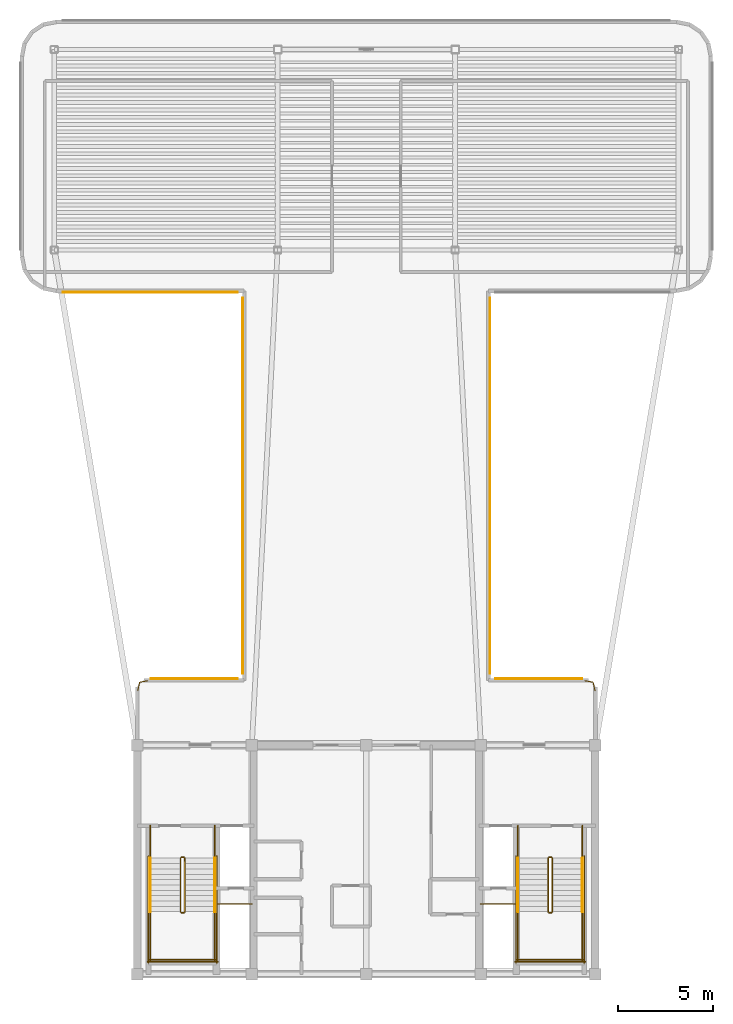
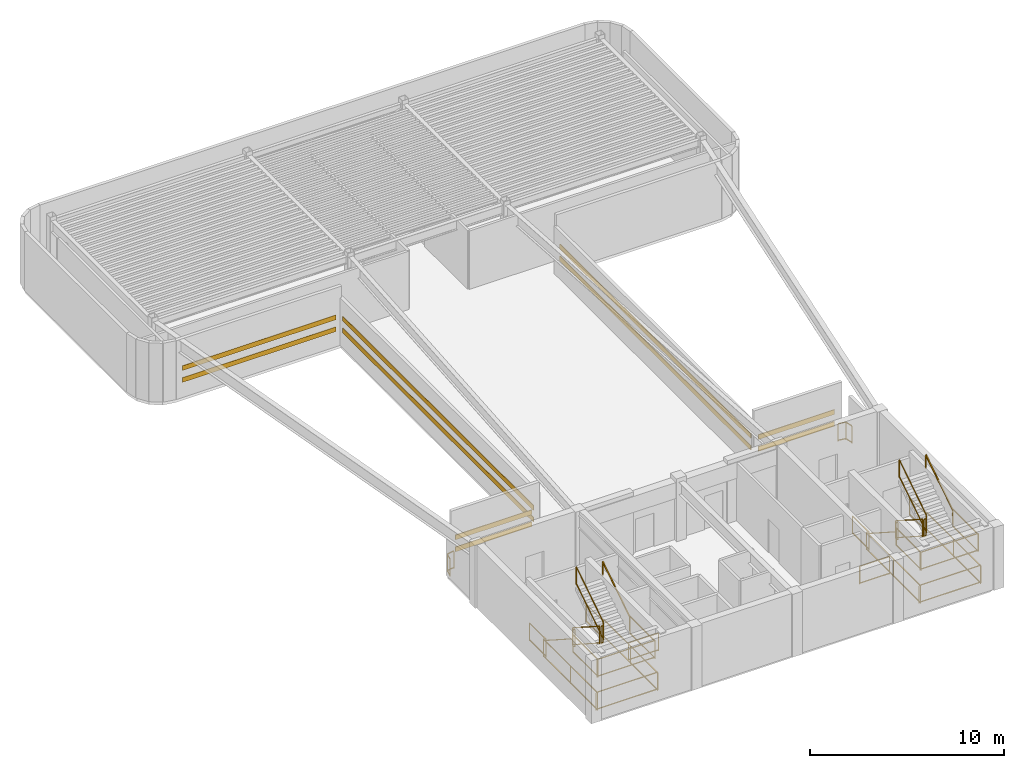
# One storey, part 5 of 6: 32 railings, 10 shading devices.
"""IFC4 building model written with IfcOpenShell, lengths in metres."""

from ifc_helpers import new_model, si_unit, direction, frame, origin, origin_2d, place, context, subcontext, project, spatial, rectangle, extrude, source, transform, mapped, material, layer, layer_set, material_profile, profile_set, type_object, element, save


model = new_model("IFC4")

# Units and contexts
model_context = context("Model", 3, precision=1e-05, world=origin(), true_north=direction((0.0, 1.0)))
body_context = subcontext(model_context, "Body", "Model", "MODEL_VIEW")
ifc_project = project(units=[si_unit("LENGTHUNIT", "METRE"), si_unit("AREAUNIT", "SQUARE_METRE"), si_unit("VOLUMEUNIT", "CUBIC_METRE"), si_unit("PLANEANGLEUNIT", "RADIAN"), si_unit("MASSUNIT", "GRAM", prefix="KILO")], contexts=[model_context])

# Site, building, storey
site_placement = place(None, origin())
site = spatial("IfcSite", under=ifc_project, at=site_placement, CompositionType="ELEMENT")
building_placement = place(site_placement, origin())
building = spatial("IfcBuilding", under=site, at=building_placement, Name="Brelvock Crest Care Tower", CompositionType="ELEMENT")
storey_placement = place(building_placement, frame((0.0, 0.0, 303.840087890625)))
storey = spatial("IfcBuildingStorey", under=building, at=storey_placement, Name="L77", CompositionType="ELEMENT", Elevation=303.840087890625)

# Railings
ifc_material_1 = material(Name="Steel Grade 350", Category="steel")
ifc_layer_1 = layer(ifc_material_1, 0.06005859375, Name="RL-GRD1")
ifc_layer_set_1 = layer_set([ifc_layer_1], Name="Steel Grade 350")
railing_type_1 = type_object("IfcRailingType", Name="RL-GRD1", PredefinedType="GUARDRAIL", material=ifc_layer_set_1)
railing_1_placement = place(storey_placement, frame((24.02001953125, 20.85009765625, 0.00390625)))
element("IfcRailing", 1, at=railing_1_placement, inside=storey, type_object=railing_type_1, Name="L77 West Throat Corner Guard", PredefinedType="GUARDRAIL", context=body_context, shape_type="SweptSolid", body=[
    extrude(rectangle(XDim=0.048095703125, YDim=0.048095703125, at=origin_2d()), frame((0.00048828125, 0.001953125, 1.09619140625), z_axis=(0.21715477266, 0.976137185395, 0.0), x_axis=(-0.976137185395, 0.21715477266, 0.0)), (0.0, 0.0, 1.0), 0.45703125),
    extrude(rectangle(XDim=0.048095703125, YDim=0.048095703125, at=origin_2d()), frame((0.00048828125, 0.001953125, 0.054931640625), z_axis=(0.21715477266, 0.976137185395, 0.0), x_axis=(-0.976137185395, 0.21715477266, 0.0)), (0.0, 0.0, 1.0), 0.45703125),
    extrude(rectangle(XDim=0.048095703125, YDim=0.048095703125, at=origin_2d()), frame((0.10205078125, 0.4501953125, 1.09619140625), z_axis=(0.983193031384, 0.182569063749, 0.0), x_axis=(-0.182569063749, 0.983193031384, 0.0)), (0.0, 0.0, 1.0), 0.433349609375),
    extrude(rectangle(XDim=0.048095703125, YDim=0.048095703125, at=origin_2d()), frame((0.10205078125, 0.4501953125, 0.054931640625), z_axis=(0.983193031384, 0.182569063749, 0.0), x_axis=(-0.182569063749, 0.983193031384, 0.0)), (0.0, 0.0, 1.0), 0.433349609375),
    extrude(rectangle(XDim=0.0419921875, YDim=0.0419921875, at=origin_2d()), origin(), (0.0, 0.0, 1.0), 1.070068359375),
    extrude(rectangle(XDim=0.0419921875, YDim=0.0419921875, at=origin_2d()), frame((0.10009765625, 0.449951171875, 0.0)), (0.0, 0.0, 1.0), 1.070068359375),
    extrude(rectangle(XDim=0.0419921875, YDim=0.0419921875, at=origin_2d()), frame((0.530029296875, 0.52978515625, 0.0)), (0.0, 0.0, 1.0), 1.070068359375),
])
railing_2_placement = place(storey_placement, frame((47.449951171875, 21.3798828125, 0.00390625)))
element("IfcRailing", 2, at=railing_2_placement, inside=storey, type_object=railing_type_1, Name="L77 East Throat Corner Guard", PredefinedType="GUARDRAIL", context=body_context, shape_type="SweptSolid", body=[
    extrude(rectangle(XDim=0.048095703125, YDim=0.048095703125, at=origin_2d()), frame((0.001953125, -0.000244140625, 1.09619140625), z_axis=(0.983193031384, -0.182569063749, 0.0), x_axis=(0.182569063749, 0.983193031384, 0.0)), (0.0, 0.0, 1.0), 0.433349609375),
    extrude(rectangle(XDim=0.048095703125, YDim=0.048095703125, at=origin_2d()), frame((0.001953125, -0.000244140625, 0.054931640625), z_axis=(0.983193031384, -0.182569063749, 0.0), x_axis=(0.182569063749, 0.983193031384, 0.0)), (0.0, 0.0, 1.0), 0.433349609375),
    extrude(rectangle(XDim=0.048095703125, YDim=0.048095703125, at=origin_2d()), frame((0.430419921875, -0.081787109375, 1.09619140625), z_axis=(0.21715477266, -0.976137185395, 0.0), x_axis=(0.976137185395, 0.21715477266, 0.0)), (0.0, 0.0, 1.0), 0.45703125),
    extrude(rectangle(XDim=0.048095703125, YDim=0.048095703125, at=origin_2d()), frame((0.430419921875, -0.081787109375, 0.054931640625), z_axis=(0.21715477266, -0.976137185395, 0.0), x_axis=(0.976137185395, 0.21715477266, 0.0)), (0.0, 0.0, 1.0), 0.45703125),
    extrude(rectangle(XDim=0.0419921875, YDim=0.0419921875, at=origin_2d()), origin(), (0.0, 0.0, 1.0), 1.070068359375),
    extrude(rectangle(XDim=0.0419921875, YDim=0.0419921875, at=origin_2d()), frame((0.429931640625, -0.079833984375, 0.0)), (0.0, 0.0, 1.0), 1.070068359375),
    extrude(rectangle(XDim=0.0419921875, YDim=0.0419921875, at=origin_2d()), frame((0.530029296875, -0.52978515625, 0.0)), (0.0, 0.0, 1.0), 1.070068359375),
])
ifc_layer_2 = layer(ifc_material_1, 0.050048828125, Name="RL-STG1")
ifc_layer_set_2 = layer_set([ifc_layer_2], Name="Steel Grade 350")
railing_type_2 = type_object("IfcRailingType", Name="RL-STG1", PredefinedType="GUARDRAIL", material=ifc_layer_set_2)
railing_3_placement = place(storey_placement, frame((26.260009765625, 12.080078125, 0.179931640625)))
element("IfcRailing", 3, at=railing_3_placement, inside=storey, type_object=railing_type_2, Name="L77 ST-1 stair guard 1", PredefinedType="GUARDRAIL", context=body_context, shape_type="SweptSolid", body=[
    extrude(rectangle(XDim=0.048095703125, YDim=0.048095703125, at=origin_2d()), frame((0.0, -0.001708984375, 1.116943359375), z_axis=(0.0, -0.841176092368, 0.540761298198), x_axis=(1.0, 0.0, 0.0)), (0.0, 0.0, 1.0), 3.32470703125),
    extrude(rectangle(XDim=0.048095703125, YDim=0.048095703125, at=origin_2d()), frame((0.0, -0.001708984375, 0.05615234375), z_axis=(0.0, -0.841176092368, 0.540761298198), x_axis=(1.0, 0.0, 0.0)), (0.0, 0.0, 1.0), 3.32470703125),
    extrude(rectangle(XDim=0.0419921875, YDim=0.0419921875, at=origin_2d()), origin(), (0.0, 0.0, 1.0), 1.08984375),
    extrude(rectangle(XDim=0.0419921875, YDim=0.0419921875, at=origin_2d()), frame((0.0, -2.800048828125, 1.800048828125)), (0.0, 0.0, 1.0), 1.08984375),
])
railing_4_placement = place(storey_placement, frame((26.31005859375, 9.22998046875, 1.97998046875)))
element("IfcRailing", 4, at=railing_4_placement, inside=storey, type_object=railing_type_2, Name="L77 ST-1 stair guard 2", PredefinedType="GUARDRAIL", context=body_context, shape_type="SweptSolid", body=[
    extrude(rectangle(XDim=0.048095703125, YDim=0.048095703125, at=origin_2d()), frame((0.001953125, 0.0, 1.11572265625), z_axis=(1.0, 0.0, 0.0), x_axis=(0.0, 1.0, 0.0)), (0.0, 0.0, 1.0), 0.115966796875),
    extrude(rectangle(XDim=0.048095703125, YDim=0.048095703125, at=origin_2d()), frame((0.001953125, 0.0, 0.054931640625), z_axis=(1.0, 0.0, 0.0), x_axis=(0.0, 1.0, 0.0)), (0.0, 0.0, 1.0), 0.115966796875),
    extrude(rectangle(XDim=0.0419921875, YDim=0.0419921875, at=origin_2d()), origin(), (0.0, 0.0, 1.0), 1.08984375),
    extrude(rectangle(XDim=0.0419921875, YDim=0.0419921875, at=origin_2d()), frame((0.119873046875, 0.0, 0.0)), (0.0, 0.0, 1.0), 1.08984375),
])
for number, where, name in (
    (5, (24.679931640625, 9.280029296875, 1.97998046875), "L77 ST-1 stair guard 3"),
    (6, (28.06005859375, 9.280029296875, 1.97998046875), "L77 ST-1 stair guard 4"),
):
    element("IfcRailing", number, at=place(storey_placement, frame(where)), inside=storey, type_object=railing_type_2, Name=name, PredefinedType="GUARDRAIL", context=body_context, shape_type="SweptSolid", body=[
        extrude(rectangle(XDim=0.048095703125, YDim=0.048095703125, at=origin_2d()), frame((0.0, -0.001953125, 1.11572265625), z_axis=(0.0, -1.0, 0.0), x_axis=(1.0, 0.0, 0.0)), (0.0, 0.0, 1.0), 2.576171875),
        extrude(rectangle(XDim=0.048095703125, YDim=0.048095703125, at=origin_2d()), frame((0.0, -0.001953125, 0.054931640625), z_axis=(0.0, -1.0, 0.0), x_axis=(1.0, 0.0, 0.0)), (0.0, 0.0, 1.0), 2.576171875),
        extrude(rectangle(XDim=0.0419921875, YDim=0.0419921875, at=origin_2d()), origin(), (0.0, 0.0, 1.0), 1.08984375),
        extrude(rectangle(XDim=0.0419921875, YDim=0.0419921875, at=origin_2d()), frame((0.0, -2.580078125, 0.0)), (0.0, 0.0, 1.0), 1.08984375),
    ])
railing_5_placement = place(storey_placement, frame((24.6298828125, 6.75, 1.97998046875)))
element("IfcRailing", 7, at=railing_5_placement, inside=storey, type_object=railing_type_2, Name="L77 ST-1 stair guard 5", PredefinedType="GUARDRAIL", context=body_context, shape_type="SweptSolid", body=[
    extrude(rectangle(XDim=0.048095703125, YDim=0.048095703125, at=origin_2d()), frame((0.001953125, 0.0, 1.11572265625), z_axis=(1.0, 0.0, 0.0), x_axis=(0.0, 1.0, 0.0)), (0.0, 0.0, 1.0), 3.476318359375),
    extrude(rectangle(XDim=0.048095703125, YDim=0.048095703125, at=origin_2d()), frame((0.001953125, 0.0, 0.054931640625), z_axis=(1.0, 0.0, 0.0), x_axis=(0.0, 1.0, 0.0)), (0.0, 0.0, 1.0), 3.476318359375),
    extrude(rectangle(XDim=0.0419921875, YDim=0.0419921875, at=origin_2d()), origin(), (0.0, 0.0, 1.0), 1.08984375),
    extrude(rectangle(XDim=0.0419921875, YDim=0.0419921875, at=origin_2d()), frame((3.480224609375, 0.0, 0.0)), (0.0, 0.0, 1.0), 1.08984375),
])
railing_6_placement = place(storey_placement, frame((26.47998046875, 9.280029296875, 2.159912109375)))
element("IfcRailing", 8, at=railing_6_placement, inside=storey, type_object=railing_type_2, Name="L77 ST-1 stair guard 6", PredefinedType="GUARDRAIL", context=body_context, shape_type="SweptSolid", body=[
    extrude(rectangle(XDim=0.048095703125, YDim=0.048095703125, at=origin_2d()), frame((0.0, 0.001708984375, 1.116943359375), z_axis=(0.0, 0.841176092368, 0.540761298198), x_axis=(-1.0, 0.0, 0.0)), (0.0, 0.0, 1.0), 3.32470703125),
    extrude(rectangle(XDim=0.048095703125, YDim=0.048095703125, at=origin_2d()), frame((0.0, 0.001708984375, 0.05615234375), z_axis=(0.0, 0.841176092368, 0.540761298198), x_axis=(-1.0, 0.0, 0.0)), (0.0, 0.0, 1.0), 3.32470703125),
    extrude(rectangle(XDim=0.0419921875, YDim=0.0419921875, at=origin_2d()), origin(), (0.0, 0.0, 1.0), 1.08984375),
    extrude(rectangle(XDim=0.0419921875, YDim=0.0419921875, at=origin_2d()), frame((0.0, 2.800048828125, 1.800048828125)), (0.0, 0.0, 1.0), 1.08984375),
])
railing_7_placement = place(storey_placement, frame((26.31005859375, 12.1298828125, 0.0)))
element("IfcRailing", 9, at=railing_7_placement, inside=storey, type_object=railing_type_2, Name="L77 ST-1 stair guard 7", PredefinedType="GUARDRAIL", context=body_context, shape_type="SweptSolid", body=[
    extrude(rectangle(XDim=0.048095703125, YDim=0.048095703125, at=origin_2d()), frame((0.001953125, 0.0, 1.11572265625), z_axis=(1.0, 0.0, 0.0), x_axis=(0.0, 1.0, 0.0)), (0.0, 0.0, 1.0), 0.115966796875),
    extrude(rectangle(XDim=0.048095703125, YDim=0.048095703125, at=origin_2d()), frame((0.001953125, 0.0, 0.054931640625), z_axis=(1.0, 0.0, 0.0), x_axis=(0.0, 1.0, 0.0)), (0.0, 0.0, 1.0), 0.115966796875),
    extrude(rectangle(XDim=0.0419921875, YDim=0.0419921875, at=origin_2d()), origin(), (0.0, 0.0, 1.0), 1.08984375),
    extrude(rectangle(XDim=0.0419921875, YDim=0.0419921875, at=origin_2d()), frame((0.119873046875, 0.0, 0.0)), (0.0, 0.0, 1.0), 1.08984375),
])
for number, where, name in (
    (10, (24.679931640625, 13.780029296875, 0.0), "L77 ST-1 stair guard 8"),
    (11, (28.06005859375, 13.780029296875, 0.0), "L77 ST-1 stair guard 9"),
):
    element("IfcRailing", number, at=place(storey_placement, frame(where)), inside=storey, type_object=railing_type_2, Name=name, PredefinedType="GUARDRAIL", context=body_context, shape_type="SweptSolid", body=[
        extrude(rectangle(XDim=0.048095703125, YDim=0.048095703125, at=origin_2d()), frame((0.0, -0.001953125, 1.11572265625), z_axis=(0.0, -1.0, 0.0), x_axis=(1.0, 0.0, 0.0)), (0.0, 0.0, 1.0), 1.696044921875),
        extrude(rectangle(XDim=0.048095703125, YDim=0.048095703125, at=origin_2d()), frame((0.0, -0.001953125, 0.054931640625), z_axis=(0.0, -1.0, 0.0), x_axis=(1.0, 0.0, 0.0)), (0.0, 0.0, 1.0), 1.696044921875),
        extrude(rectangle(XDim=0.0419921875, YDim=0.0419921875, at=origin_2d()), origin(), (0.0, 0.0, 1.0), 1.08984375),
        extrude(rectangle(XDim=0.0419921875, YDim=0.0419921875, at=origin_2d()), frame((0.0, -1.699951171875, 0.0)), (0.0, 0.0, 1.0), 1.08984375),
    ])
for number, where, name in (
    (12, (24.580078125, 12.179931640625, 0.0), "L77 ST-1 stair guard 10"),
    (13, (28.159912109375, 12.179931640625, 0.0), "L77 ST-1 stair guard 11"),
):
    element("IfcRailing", number, at=place(storey_placement, frame(where)), inside=storey, type_object=railing_type_2, Name=name, PredefinedType="GUARDRAIL", context=body_context, shape_type="SweptSolid", body=[
        extrude(rectangle(XDim=0.048095703125, YDim=0.048095703125, at=origin_2d()), frame((0.0, -0.001953125, 1.11572265625), z_axis=(0.0, -1.0, 0.0), x_axis=(1.0, 0.0, 0.0)), (0.0, 0.0, 1.0), 5.575927734375),
        extrude(rectangle(XDim=0.048095703125, YDim=0.048095703125, at=origin_2d()), frame((0.0, -0.001953125, 0.054931640625), z_axis=(0.0, -1.0, 0.0), x_axis=(1.0, 0.0, 0.0)), (0.0, 0.0, 1.0), 5.575927734375),
        extrude(rectangle(XDim=0.0419921875, YDim=0.0419921875, at=origin_2d()), origin(), (0.0, 0.0, 1.0), 1.08984375),
        extrude(rectangle(XDim=0.0419921875, YDim=0.0419921875, at=origin_2d()), frame((0.0, -2.7900390625, 0.0)), (0.0, 0.0, 1.0), 1.08984375),
        extrude(rectangle(XDim=0.0419921875, YDim=0.0419921875, at=origin_2d()), frame((0.0, -5.579833984375, 0.0)), (0.0, 0.0, 1.0), 1.08984375),
    ])
railing_8_placement = place(storey_placement, frame((24.530029296875, 6.64990234375, 0.0)))
element("IfcRailing", 14, at=railing_8_placement, inside=storey, type_object=railing_type_2, Name="L77 ST-1 stair guard 12", PredefinedType="GUARDRAIL", context=body_context, shape_type="SweptSolid", body=[
    extrude(rectangle(XDim=0.048095703125, YDim=0.048095703125, at=origin_2d()), frame((0.001953125, 0.0, 1.11572265625), z_axis=(1.0, 0.0, 0.0), x_axis=(0.0, 1.0, 0.0)), (0.0, 0.0, 1.0), 3.676025390625),
    extrude(rectangle(XDim=0.048095703125, YDim=0.048095703125, at=origin_2d()), frame((0.001953125, 0.0, 0.054931640625), z_axis=(1.0, 0.0, 0.0), x_axis=(0.0, 1.0, 0.0)), (0.0, 0.0, 1.0), 3.676025390625),
    extrude(rectangle(XDim=0.0419921875, YDim=0.0419921875, at=origin_2d()), origin(), (0.0, 0.0, 1.0), 1.08984375),
    extrude(rectangle(XDim=0.0419921875, YDim=0.0419921875, at=origin_2d()), frame((3.679931640625, 0.0, 0.0)), (0.0, 0.0, 1.0), 1.08984375),
])
railing_9_placement = place(storey_placement, frame((45.52001953125, 12.080078125, 0.179931640625)))
element("IfcRailing", 15, at=railing_9_placement, inside=storey, type_object=railing_type_2, Name="L77 ST-2 stair guard 1", PredefinedType="GUARDRAIL", context=body_context, shape_type="SweptSolid", body=[
    extrude(rectangle(XDim=0.048095703125, YDim=0.048095703125, at=origin_2d()), frame((0.0, -0.001708984375, 1.116943359375), z_axis=(0.0, -0.841176092368, 0.540761298198), x_axis=(1.0, 0.0, 0.0)), (0.0, 0.0, 1.0), 3.32470703125),
    extrude(rectangle(XDim=0.048095703125, YDim=0.048095703125, at=origin_2d()), frame((0.0, -0.001708984375, 0.05615234375), z_axis=(0.0, -0.841176092368, 0.540761298198), x_axis=(1.0, 0.0, 0.0)), (0.0, 0.0, 1.0), 3.32470703125),
    extrude(rectangle(XDim=0.0419921875, YDim=0.0419921875, at=origin_2d()), origin(), (0.0, 0.0, 1.0), 1.08984375),
    extrude(rectangle(XDim=0.0419921875, YDim=0.0419921875, at=origin_2d()), frame((0.0, -2.800048828125, 1.800048828125)), (0.0, 0.0, 1.0), 1.08984375),
])
railing_10_placement = place(storey_placement, frame((45.570068359375, 9.22998046875, 1.97998046875)))
element("IfcRailing", 16, at=railing_10_placement, inside=storey, type_object=railing_type_2, Name="L77 ST-2 stair guard 2", PredefinedType="GUARDRAIL", context=body_context, shape_type="SweptSolid", body=[
    extrude(rectangle(XDim=0.048095703125, YDim=0.048095703125, at=origin_2d()), frame((0.001953125, 0.0, 1.11572265625), z_axis=(1.0, 0.0, 0.0), x_axis=(0.0, 1.0, 0.0)), (0.0, 0.0, 1.0), 0.115966796875),
    extrude(rectangle(XDim=0.048095703125, YDim=0.048095703125, at=origin_2d()), frame((0.001953125, 0.0, 0.054931640625), z_axis=(1.0, 0.0, 0.0), x_axis=(0.0, 1.0, 0.0)), (0.0, 0.0, 1.0), 0.115966796875),
    extrude(rectangle(XDim=0.0419921875, YDim=0.0419921875, at=origin_2d()), origin(), (0.0, 0.0, 1.0), 1.08984375),
    extrude(rectangle(XDim=0.0419921875, YDim=0.0419921875, at=origin_2d()), frame((0.119873046875, 0.0, 0.0)), (0.0, 0.0, 1.0), 1.08984375),
])
for number, where, name in (
    (17, (43.93994140625, 9.280029296875, 1.97998046875), "L77 ST-2 stair guard 3"),
    (18, (47.320068359375, 9.280029296875, 1.97998046875), "L77 ST-2 stair guard 4"),
):
    element("IfcRailing", number, at=place(storey_placement, frame(where)), inside=storey, type_object=railing_type_2, Name=name, PredefinedType="GUARDRAIL", context=body_context, shape_type="SweptSolid", body=[
        extrude(rectangle(XDim=0.048095703125, YDim=0.048095703125, at=origin_2d()), frame((0.0, -0.001953125, 1.11572265625), z_axis=(0.0, -1.0, 0.0), x_axis=(1.0, 0.0, 0.0)), (0.0, 0.0, 1.0), 2.576171875),
        extrude(rectangle(XDim=0.048095703125, YDim=0.048095703125, at=origin_2d()), frame((0.0, -0.001953125, 0.054931640625), z_axis=(0.0, -1.0, 0.0), x_axis=(1.0, 0.0, 0.0)), (0.0, 0.0, 1.0), 2.576171875),
        extrude(rectangle(XDim=0.0419921875, YDim=0.0419921875, at=origin_2d()), origin(), (0.0, 0.0, 1.0), 1.08984375),
        extrude(rectangle(XDim=0.0419921875, YDim=0.0419921875, at=origin_2d()), frame((0.0, -2.580078125, 0.0)), (0.0, 0.0, 1.0), 1.08984375),
    ])
railing_11_placement = place(storey_placement, frame((43.889892578125, 6.75, 1.97998046875)))
element("IfcRailing", 19, at=railing_11_placement, inside=storey, type_object=railing_type_2, Name="L77 ST-2 stair guard 5", PredefinedType="GUARDRAIL", context=body_context, shape_type="SweptSolid", body=[
    extrude(rectangle(XDim=0.048095703125, YDim=0.048095703125, at=origin_2d()), frame((0.001953125, 0.0, 1.11572265625), z_axis=(1.0, 0.0, 0.0), x_axis=(0.0, 1.0, 0.0)), (0.0, 0.0, 1.0), 3.476318359375),
    extrude(rectangle(XDim=0.048095703125, YDim=0.048095703125, at=origin_2d()), frame((0.001953125, 0.0, 0.054931640625), z_axis=(1.0, 0.0, 0.0), x_axis=(0.0, 1.0, 0.0)), (0.0, 0.0, 1.0), 3.476318359375),
    extrude(rectangle(XDim=0.0419921875, YDim=0.0419921875, at=origin_2d()), origin(), (0.0, 0.0, 1.0), 1.08984375),
    extrude(rectangle(XDim=0.0419921875, YDim=0.0419921875, at=origin_2d()), frame((3.480224609375, 0.0, 0.0)), (0.0, 0.0, 1.0), 1.08984375),
])
railing_12_placement = place(storey_placement, frame((45.739990234375, 9.280029296875, 2.159912109375)))
element("IfcRailing", 20, at=railing_12_placement, inside=storey, type_object=railing_type_2, Name="L77 ST-2 stair guard 6", PredefinedType="GUARDRAIL", context=body_context, shape_type="SweptSolid", body=[
    extrude(rectangle(XDim=0.048095703125, YDim=0.048095703125, at=origin_2d()), frame((0.0, 0.001708984375, 1.116943359375), z_axis=(0.0, 0.841176092368, 0.540761298198), x_axis=(-1.0, 0.0, 0.0)), (0.0, 0.0, 1.0), 3.32470703125),
    extrude(rectangle(XDim=0.048095703125, YDim=0.048095703125, at=origin_2d()), frame((0.0, 0.001708984375, 0.05615234375), z_axis=(0.0, 0.841176092368, 0.540761298198), x_axis=(-1.0, 0.0, 0.0)), (0.0, 0.0, 1.0), 3.32470703125),
    extrude(rectangle(XDim=0.0419921875, YDim=0.0419921875, at=origin_2d()), origin(), (0.0, 0.0, 1.0), 1.08984375),
    extrude(rectangle(XDim=0.0419921875, YDim=0.0419921875, at=origin_2d()), frame((0.0, 2.800048828125, 1.800048828125)), (0.0, 0.0, 1.0), 1.08984375),
])
railing_13_placement = place(storey_placement, frame((45.570068359375, 12.1298828125, 0.0)))
element("IfcRailing", 21, at=railing_13_placement, inside=storey, type_object=railing_type_2, Name="L77 ST-2 stair guard 7", PredefinedType="GUARDRAIL", context=body_context, shape_type="SweptSolid", body=[
    extrude(rectangle(XDim=0.048095703125, YDim=0.048095703125, at=origin_2d()), frame((0.001953125, 0.0, 1.11572265625), z_axis=(1.0, 0.0, 0.0), x_axis=(0.0, 1.0, 0.0)), (0.0, 0.0, 1.0), 0.115966796875),
    extrude(rectangle(XDim=0.048095703125, YDim=0.048095703125, at=origin_2d()), frame((0.001953125, 0.0, 0.054931640625), z_axis=(1.0, 0.0, 0.0), x_axis=(0.0, 1.0, 0.0)), (0.0, 0.0, 1.0), 0.115966796875),
    extrude(rectangle(XDim=0.0419921875, YDim=0.0419921875, at=origin_2d()), origin(), (0.0, 0.0, 1.0), 1.08984375),
    extrude(rectangle(XDim=0.0419921875, YDim=0.0419921875, at=origin_2d()), frame((0.119873046875, 0.0, 0.0)), (0.0, 0.0, 1.0), 1.08984375),
])
for number, where, name in (
    (22, (43.93994140625, 13.780029296875, 0.0), "L77 ST-2 stair guard 8"),
    (23, (47.320068359375, 13.780029296875, 0.0), "L77 ST-2 stair guard 9"),
):
    element("IfcRailing", number, at=place(storey_placement, frame(where)), inside=storey, type_object=railing_type_2, Name=name, PredefinedType="GUARDRAIL", context=body_context, shape_type="SweptSolid", body=[
        extrude(rectangle(XDim=0.048095703125, YDim=0.048095703125, at=origin_2d()), frame((0.0, -0.001953125, 1.11572265625), z_axis=(0.0, -1.0, 0.0), x_axis=(1.0, 0.0, 0.0)), (0.0, 0.0, 1.0), 1.696044921875),
        extrude(rectangle(XDim=0.048095703125, YDim=0.048095703125, at=origin_2d()), frame((0.0, -0.001953125, 0.054931640625), z_axis=(0.0, -1.0, 0.0), x_axis=(1.0, 0.0, 0.0)), (0.0, 0.0, 1.0), 1.696044921875),
        extrude(rectangle(XDim=0.0419921875, YDim=0.0419921875, at=origin_2d()), origin(), (0.0, 0.0, 1.0), 1.08984375),
        extrude(rectangle(XDim=0.0419921875, YDim=0.0419921875, at=origin_2d()), frame((0.0, -1.699951171875, 0.0)), (0.0, 0.0, 1.0), 1.08984375),
    ])
for number, where, name in (
    (24, (43.840087890625, 12.179931640625, 0.0), "L77 ST-2 stair guard 10"),
    (25, (47.419921875, 12.179931640625, 0.0), "L77 ST-2 stair guard 11"),
):
    element("IfcRailing", number, at=place(storey_placement, frame(where)), inside=storey, type_object=railing_type_2, Name=name, PredefinedType="GUARDRAIL", context=body_context, shape_type="SweptSolid", body=[
        extrude(rectangle(XDim=0.048095703125, YDim=0.048095703125, at=origin_2d()), frame((0.0, -0.001953125, 1.11572265625), z_axis=(0.0, -1.0, 0.0), x_axis=(1.0, 0.0, 0.0)), (0.0, 0.0, 1.0), 5.575927734375),
        extrude(rectangle(XDim=0.048095703125, YDim=0.048095703125, at=origin_2d()), frame((0.0, -0.001953125, 0.054931640625), z_axis=(0.0, -1.0, 0.0), x_axis=(1.0, 0.0, 0.0)), (0.0, 0.0, 1.0), 5.575927734375),
        extrude(rectangle(XDim=0.0419921875, YDim=0.0419921875, at=origin_2d()), origin(), (0.0, 0.0, 1.0), 1.08984375),
        extrude(rectangle(XDim=0.0419921875, YDim=0.0419921875, at=origin_2d()), frame((0.0, -2.7900390625, 0.0)), (0.0, 0.0, 1.0), 1.08984375),
        extrude(rectangle(XDim=0.0419921875, YDim=0.0419921875, at=origin_2d()), frame((0.0, -5.579833984375, 0.0)), (0.0, 0.0, 1.0), 1.08984375),
    ])
railing_14_placement = place(storey_placement, frame((43.7900390625, 6.64990234375, 0.0)))
element("IfcRailing", 26, at=railing_14_placement, inside=storey, type_object=railing_type_2, Name="L77 ST-2 stair guard 12", PredefinedType="GUARDRAIL", context=body_context, shape_type="SweptSolid", body=[
    extrude(rectangle(XDim=0.048095703125, YDim=0.048095703125, at=origin_2d()), frame((0.001953125, 0.0, 1.11572265625), z_axis=(1.0, 0.0, 0.0), x_axis=(0.0, 1.0, 0.0)), (0.0, 0.0, 1.0), 3.676025390625),
    extrude(rectangle(XDim=0.048095703125, YDim=0.048095703125, at=origin_2d()), frame((0.001953125, 0.0, 0.054931640625), z_axis=(1.0, 0.0, 0.0), x_axis=(0.0, 1.0, 0.0)), (0.0, 0.0, 1.0), 3.676025390625),
    extrude(rectangle(XDim=0.0419921875, YDim=0.0419921875, at=origin_2d()), origin(), (0.0, 0.0, 1.0), 1.08984375),
    extrude(rectangle(XDim=0.0419921875, YDim=0.0419921875, at=origin_2d()), frame((3.679931640625, 0.0, 0.0)), (0.0, 0.0, 1.0), 1.08984375),
])
for number, where, name in (
    (27, (28.219970703125, 9.679931640625, 0.0), "L77 Fire Riser Threshold Guard"),
    (28, (42.0, 9.679931640625, 0.0), "L77 Exhaust Riser Threshold Guard"),
):
    element("IfcRailing", number, at=place(storey_placement, frame(where)), inside=storey, type_object=railing_type_2, Name=name, PredefinedType="GUARDRAIL", context=body_context, shape_type="SweptSolid", body=[
        extrude(rectangle(XDim=0.048095703125, YDim=0.048095703125, at=origin_2d()), frame((0.001953125, 0.0, 1.11572265625), z_axis=(1.0, 0.0, 0.0), x_axis=(0.0, 1.0, 0.0)), (0.0, 0.0, 1.0), 1.776123046875),
        extrude(rectangle(XDim=0.048095703125, YDim=0.048095703125, at=origin_2d()), frame((0.001953125, 0.0, 0.054931640625), z_axis=(1.0, 0.0, 0.0), x_axis=(0.0, 1.0, 0.0)), (0.0, 0.0, 1.0), 1.776123046875),
        extrude(rectangle(XDim=0.0419921875, YDim=0.0419921875, at=origin_2d()), origin(), (0.0, 0.0, 1.0), 1.08984375),
        extrude(rectangle(XDim=0.0419921875, YDim=0.0419921875, at=origin_2d()), frame((1.780029296875, 0.0, 0.0)), (0.0, 0.0, 1.0), 1.08984375),
    ])
ifc_layer_3 = layer(ifc_material_1, 0.048095703125, Name="RL-STH1")
ifc_layer_set_3 = layer_set([ifc_layer_3], Name="Steel Grade 350")
railing_type_3 = type_object("IfcRailingType", Name="RL-STH1", PredefinedType="HANDRAIL", material=ifc_layer_set_3)
railing_15_placement = place(storey_placement, frame((24.679931640625, 12.080078125, 0.179931640625)))
element("IfcRailing", 29, at=railing_15_placement, inside=storey, type_object=railing_type_3, Name="L77 ST-1 stair handrail 1", PredefinedType="HANDRAIL", context=body_context, shape_type="SweptSolid", body=[
    extrude(rectangle(XDim=0.048095703125, YDim=0.048095703125, at=origin_2d()), frame((0.0, -0.001708984375, 0.876953125), z_axis=(0.0, -0.841176092368, 0.540761298198), x_axis=(1.0, 0.0, 0.0)), (0.0, 0.0, 1.0), 3.32470703125),
    extrude(rectangle(XDim=0.0419921875, YDim=0.0419921875, at=origin_2d()), origin(), (0.0, 0.0, 1.0), 0.849853515625),
    extrude(rectangle(XDim=0.0419921875, YDim=0.0419921875, at=origin_2d()), frame((0.0, -2.800048828125, 1.800048828125)), (0.0, 0.0, 1.0), 0.849853515625),
])
railing_16_placement = place(storey_placement, frame((28.06005859375, 9.280029296875, 2.159912109375)))
element("IfcRailing", 30, at=railing_16_placement, inside=storey, type_object=railing_type_3, Name="L77 ST-1 stair handrail 2", PredefinedType="HANDRAIL", context=body_context, shape_type="SweptSolid", body=[
    extrude(rectangle(XDim=0.048095703125, YDim=0.048095703125, at=origin_2d()), frame((0.0, 0.001708984375, 0.876953125), z_axis=(0.0, 0.841176092368, 0.540761298198), x_axis=(-1.0, 0.0, 0.0)), (0.0, 0.0, 1.0), 3.32470703125),
    extrude(rectangle(XDim=0.0419921875, YDim=0.0419921875, at=origin_2d()), origin(), (0.0, 0.0, 1.0), 0.849853515625),
    extrude(rectangle(XDim=0.0419921875, YDim=0.0419921875, at=origin_2d()), frame((0.0, 2.800048828125, 1.800048828125)), (0.0, 0.0, 1.0), 0.849853515625),
])
railing_17_placement = place(storey_placement, frame((43.93994140625, 12.080078125, 0.179931640625)))
element("IfcRailing", 31, at=railing_17_placement, inside=storey, type_object=railing_type_3, Name="L77 ST-2 stair handrail 1", PredefinedType="HANDRAIL", context=body_context, shape_type="SweptSolid", body=[
    extrude(rectangle(XDim=0.048095703125, YDim=0.048095703125, at=origin_2d()), frame((0.0, -0.001708984375, 0.876953125), z_axis=(0.0, -0.841176092368, 0.540761298198), x_axis=(1.0, 0.0, 0.0)), (0.0, 0.0, 1.0), 3.32470703125),
    extrude(rectangle(XDim=0.0419921875, YDim=0.0419921875, at=origin_2d()), origin(), (0.0, 0.0, 1.0), 0.849853515625),
    extrude(rectangle(XDim=0.0419921875, YDim=0.0419921875, at=origin_2d()), frame((0.0, -2.800048828125, 1.800048828125)), (0.0, 0.0, 1.0), 0.849853515625),
])
railing_18_placement = place(storey_placement, frame((47.320068359375, 9.280029296875, 2.159912109375)))
element("IfcRailing", 32, at=railing_18_placement, inside=storey, type_object=railing_type_3, Name="L77 ST-2 stair handrail 2", PredefinedType="HANDRAIL", context=body_context, shape_type="SweptSolid", body=[
    extrude(rectangle(XDim=0.048095703125, YDim=0.048095703125, at=origin_2d()), frame((0.0, 0.001708984375, 0.876953125), z_axis=(0.0, 0.841176092368, 0.540761298198), x_axis=(-1.0, 0.0, 0.0)), (0.0, 0.0, 1.0), 3.32470703125),
    extrude(rectangle(XDim=0.0419921875, YDim=0.0419921875, at=origin_2d()), origin(), (0.0, 0.0, 1.0), 0.849853515625),
    extrude(rectangle(XDim=0.0419921875, YDim=0.0419921875, at=origin_2d()), frame((0.0, 2.800048828125, 1.800048828125)), (0.0, 0.0, 1.0), 0.849853515625),
])

# Shading devices
ifc_material_2 = material(Name="Aluminium 6063-T6", Category="aluminium")
ifc_material_profile_1 = material_profile(ifc_material_2, rectangle(XDim=0.044921875, YDim=0.300048828125, at=origin_2d()), Name="LOUVRE45x300")
ifc_profile_set_1 = profile_set([ifc_material_profile_1], Name="Aluminium 6063-T6")
shading_device_type_1 = type_object("IfcShadingDeviceType", Name="SHD-SH1", PredefinedType="SHUTTER", material=ifc_profile_set_1)
shared_shape_1 = source(origin(), body_context, "Body", "SweptSolid", [
    extrude(rectangle(XDim=0.044921875, YDim=0.300048828125, at=origin_2d()), origin(), (0.0, 0.0, 1.0), 4.550048828125),
])
for number, where, z_axis, x_axis, name in (
    (33, (24.699951171875, 21.47509765625, 1.099853515625), (1.0, 0.0, 0.0), (0.0, 1.0, 0.0), "L77 Crown Acoustic Louvre 11-1"),
    (34, (24.699951171875, 21.47509765625, 1.849853515625), (1.0, 0.0, 0.0), (0.0, 1.0, 0.0), "L77 Crown Acoustic Louvre 11-2"),
    (35, (42.75, 21.47509765625, 1.099853515625), (1.0, 0.0, 0.0), (0.0, 1.0, 0.0), "L77 Crown Acoustic Louvre 35-1"),
    (36, (42.75, 21.47509765625, 1.849853515625), (1.0, 0.0, 0.0), (0.0, 1.0, 0.0), "L77 Crown Acoustic Louvre 35-2"),
):
    element("IfcShadingDevice", number, at=place(storey_placement, frame(where, z_axis=z_axis, x_axis=x_axis)), inside=storey, type_object=shading_device_type_1, Name=name, PredefinedType="SHUTTER", context=body_context, shape_type="MappedRepresentation", body=[
        mapped(shared_shape_1, transform((0.0, 0.0, 0.0), x_axis=(1.0, 0.0, 0.0), y_axis=(0.0, 1.0, 0.0), z_axis=(0.0, 0.0, 1.0), scale=1.0)),
    ])
ifc_material_profile_2 = material_profile(ifc_material_2, rectangle(XDim=0.044921875, YDim=0.300048828125, at=origin_2d()), Name="LOUVRE45x300")
ifc_profile_set_2 = profile_set([ifc_material_profile_2], Name="Aluminium 6063-T6")
shading_device_type_2 = type_object("IfcShadingDeviceType", Name="SHD-LV1", PredefinedType="JALOUSIE", material=ifc_profile_set_2)
shared_shape_2 = source(origin(), body_context, "Body", "SweptSolid", [
    extrude(rectangle(XDim=0.044921875, YDim=0.300048828125, at=origin_2d()), origin(), (0.0, 0.0, 1.0), 19.699951171875),
])
for number, where, z_axis, x_axis, name in (
    (37, (29.52490234375, 21.75, 1.099853515625), (0.0, 1.0, 0.0), (-1.0, 0.0, 0.0), "L77 Crown Acoustic Louvre 12-1"),
    (38, (29.52490234375, 21.75, 1.849853515625), (0.0, 1.0, 0.0), (-1.0, 0.0, 0.0), "L77 Crown Acoustic Louvre 12-2"),
    (39, (42.47509765625, 41.449951171875, 1.099853515625), (0.0, -1.0, 0.0), (1.0, 0.0, 0.0), "L77 Crown Acoustic Louvre 34-1"),
    (40, (42.47509765625, 41.449951171875, 1.849853515625), (0.0, -1.0, 0.0), (1.0, 0.0, 0.0), "L77 Crown Acoustic Louvre 34-2"),
):
    element("IfcShadingDevice", number, at=place(storey_placement, frame(where, z_axis=z_axis, x_axis=x_axis)), inside=storey, type_object=shading_device_type_2, Name=name, PredefinedType="JALOUSIE", context=body_context, shape_type="MappedRepresentation", body=[
        mapped(shared_shape_2, transform((0.0, 0.0, 0.0), x_axis=(1.0, 0.0, 0.0), y_axis=(0.0, 1.0, 0.0), z_axis=(0.0, 0.0, 1.0), scale=1.0)),
    ])
shared_shape_3 = source(origin(), body_context, "Body", "SweptSolid", [
    extrude(rectangle(XDim=0.044921875, YDim=0.300048828125, at=origin_2d()), origin(), (0.0, 0.0, 1.0), 9.14990234375),
])
for number, where, z_axis, x_axis, name in (
    (41, (29.25, 41.72509765625, 1.099853515625), (-1.0, 0.0, 0.0), (0.0, -1.0, 0.0), "L77 Crown Acoustic Louvre 13-1"),
    (42, (29.25, 41.72509765625, 1.849853515625), (-1.0, 0.0, 0.0), (0.0, -1.0, 0.0), "L77 Crown Acoustic Louvre 13-2"),
):
    element("IfcShadingDevice", number, at=place(storey_placement, frame(where, z_axis=z_axis, x_axis=x_axis)), inside=storey, type_object=shading_device_type_1, Name=name, PredefinedType="SHUTTER", context=body_context, shape_type="MappedRepresentation", body=[
        mapped(shared_shape_3, transform((0.0, 0.0, 0.0), x_axis=(1.0, 0.0, 0.0), y_axis=(0.0, 1.0, 0.0), z_axis=(0.0, 0.0, 1.0), scale=1.0)),
    ])

save(model, "model.ifc")
